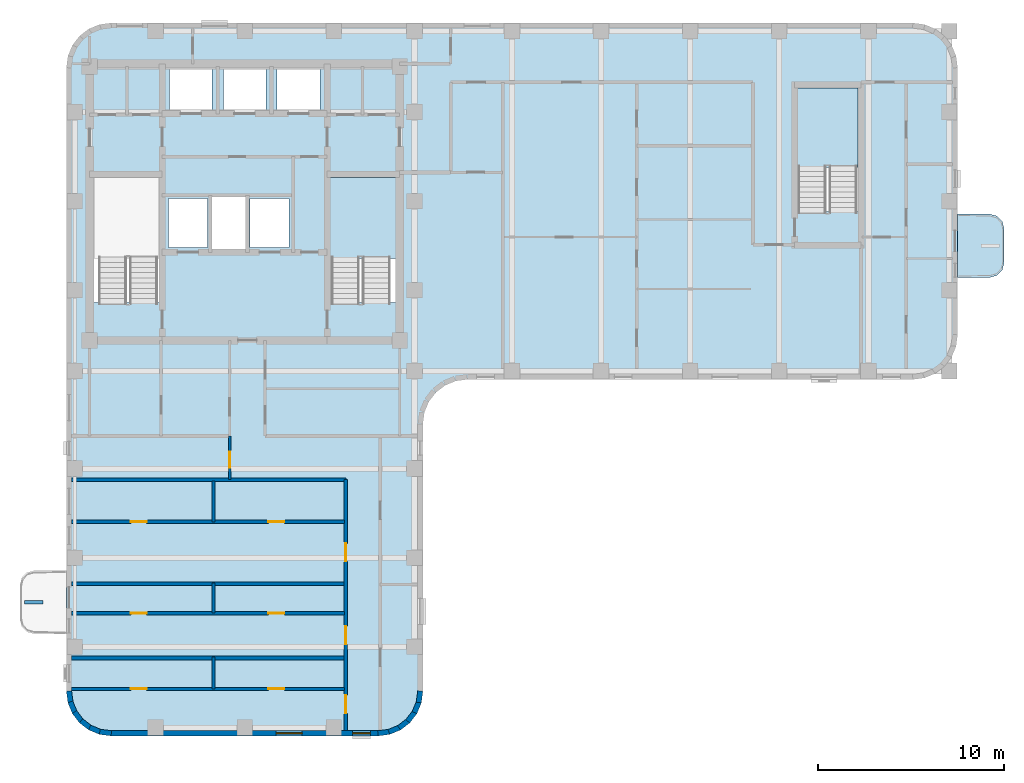
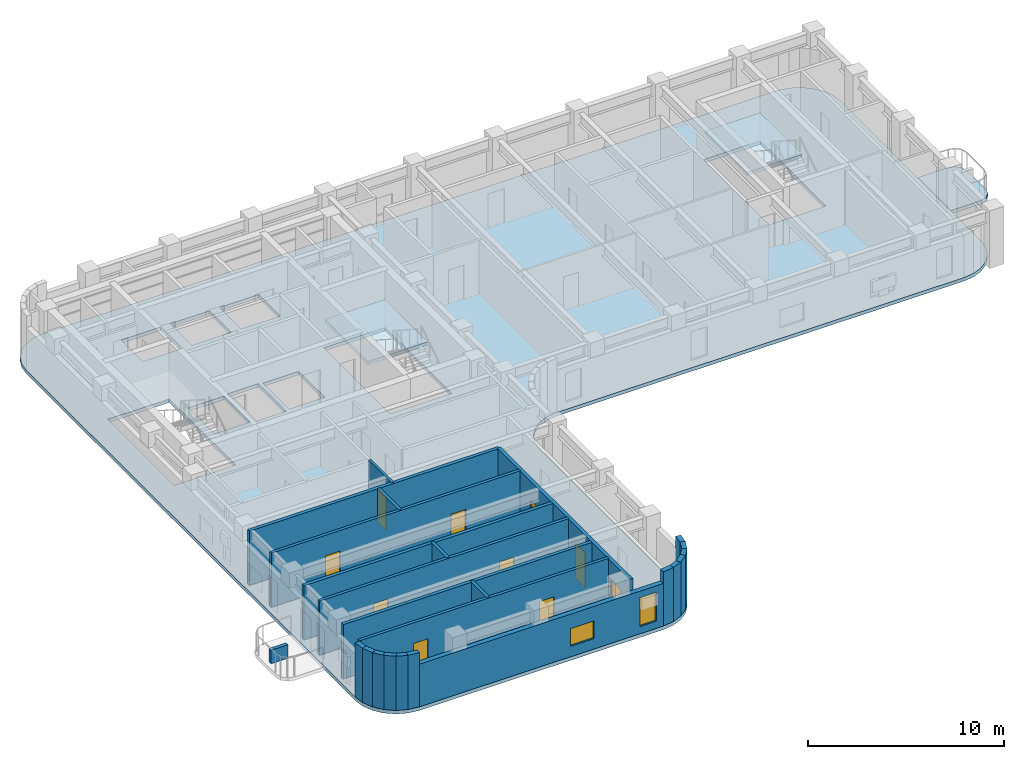
# One storey, part 2 of 10: 25 walls, 10 doors, 4 slabs, 2 windows, 12 openings, 2 elements without a shape of their own.
"""IFC4 building model written with IfcOpenShell, lengths in metres."""

from ifc_helpers import new_model, si_unit, direction, frame, frame_2d, origin, place, context, subcontext, project, spatial, polyline, rectangle, outline, extrude, material, layer, layer_set, type_object, element, fill, aggregate, save


model = new_model("IFC4")

# Units and contexts
model_context = context("Model", 3, precision=1e-05, world=origin(), true_north=direction((0.0, 1.0)))
body_context = subcontext(model_context, "Body", "Model", "MODEL_VIEW")
ifc_project = project(units=[si_unit("LENGTHUNIT", "METRE"), si_unit("AREAUNIT", "SQUARE_METRE"), si_unit("VOLUMEUNIT", "CUBIC_METRE"), si_unit("PLANEANGLEUNIT", "RADIAN"), si_unit("MASSUNIT", "GRAM", prefix="KILO")], contexts=[model_context])

# Site, building, storey
site_placement = place(None, origin())
site = spatial("IfcSite", under=ifc_project, at=site_placement, CompositionType="ELEMENT")
building_placement = place(site_placement, origin())
building = spatial("IfcBuilding", under=site, at=building_placement, Name="Orvandelia Arch Residences", CompositionType="ELEMENT")
storey_placement = place(building_placement, frame((0.0, 0.0, 229.0)))
storey = spatial("IfcBuildingStorey", under=building, at=storey_placement, Name="L60", CompositionType="ELEMENT", Elevation=229.0)

# Slab
ifc_material_1 = material(Name="Precast concrete C40/50", Category="concrete")
ifc_layer_1 = layer(ifc_material_1, 0.219970703125, Name="Precast concrete C40/50", Category="concrete")
ifc_layer_set_1 = layer_set([ifc_layer_1], Name="Precast concrete C40/50")
slab_type_1 = type_object("IfcSlabType", Name="SLB-BAL-220", PredefinedType="USERDEFINED", material=ifc_layer_set_1)
slab_1_placement = place(storey_placement, frame((0.0, 0.0, -0.219970703125)))
element("IfcSlab", 1, at=slab_1_placement, inside=storey, type_object=slab_type_1, Name="Tree Balcony Cantilever Slab BAL-L60-E1", ObjectType="BALCONY", PredefinedType="USERDEFINED", context=body_context, shape_type="SweptSolid", body=[
    extrude(outline(polyline([(52.800048828125, 37.699951171875), (52.800048828125, 34.300048828125), (54.550048828125, 34.300048828125), (54.925048828125, 34.400390625), (55.199462890625, 34.675048828125), (55.300048828125, 35.050048828125), (55.300048828125, 36.949951171875), (55.199462890625, 37.324951171875), (54.925048828125, 37.599609375), (54.550048828125, 37.699951171875), (52.800048828125, 37.699951171875)])), origin(), (0.0, 0.0, 1.0), 0.219970703125),
])

# Stair, slab
ifc_material_2 = material(Name="Concrete C40/50", Category="concrete")
stair_type = type_object("IfcStairType", Name="STAIR-RC-DOGLEG", PredefinedType="HALF_TURN_STAIR", material=ifc_material_2)
stair_1_placement = place(storey_placement, origin())
stair_1 = element("IfcStair", 2, at=stair_1_placement, inside=storey, type_object=stair_type, Name="L60 Protected Exit Stair ST-2", PredefinedType="HALF_TURN_STAIR")
ifc_layer_2 = layer(ifc_material_2, 0.219970703125, Name="Concrete C40/50", Category="concrete")
ifc_layer_set_2 = layer_set([ifc_layer_2], Name="Concrete C40/50")
slab_type_2 = type_object("IfcSlabType", Name="SLB-LANDING-220", PredefinedType="LANDING", material=ifc_layer_set_2)
slab_2_placement = place(storey_placement, frame((0.0, 0.0, 1.60009765625)))
slab_2 = element("IfcSlab", 3, at=slab_2_placement, type_object=slab_type_2, Name="ST-2 landing 1", PredefinedType="LANDING", context=body_context, shape_type="SweptSolid", body=[
    extrude(outline(polyline([(22.5400390625, 35.31005859375), (22.5400390625, 39.68994140625), (19.0, 39.68994140625), (19.0, 35.31005859375), (22.5400390625, 35.31005859375)])), origin(), (0.0, 0.0, 1.0), 0.199951171875),
])
aggregate(stair_1, [slab_2])

stair_2_placement = place(storey_placement, origin())
stair_2 = element("IfcStair", 4, at=stair_2_placement, inside=storey, type_object=stair_type, Name="L60 East Wing Exit Stair ST-3", PredefinedType="HALF_TURN_STAIR")
slab_3_placement = place(storey_placement, frame((0.0, 0.0, 1.60009765625)))
slab_3 = element("IfcSlab", 5, at=slab_3_placement, type_object=slab_type_2, Name="ST-3 landing 1", PredefinedType="LANDING", context=body_context, shape_type="SweptSolid", body=[
    extrude(outline(polyline([(47.43994140625, 40.2099609375), (47.43994140625, 44.5), (44.179931640625, 44.5), (44.179931640625, 40.2099609375), (47.43994140625, 40.2099609375)])), origin(), (0.0, 0.0, 1.0), 0.199951171875),
])
aggregate(stair_2, [slab_3])

# Slab
ifc_layer_3 = layer(ifc_material_2, 0.219970703125, Name="Concrete C40/50", Category="concrete")
ifc_layer_set_3 = layer_set([ifc_layer_3], Name="Concrete C40/50")
slab_type_3 = type_object("IfcSlabType", Name="SLB-TWR-220", PredefinedType="FLOOR", material=ifc_layer_set_3)
slab_4_placement = place(storey_placement, frame((0.0, 0.0, -0.219970703125)))
element("IfcSlab", 6, at=slab_4_placement, inside=storey, type_object=slab_type_3, Name="Structural Floor Slab L60-1", PredefinedType="FLOOR", context=body_context, shape_type="SweptSolid", body=[
    extrude(outline(polyline([(4.800048828125, 12.0), (4.8818359375, 11.37890625), (5.12158203125, 10.800048828125), (5.5029296875, 10.302978515625), (6.0, 9.92138671875), (6.578857421875, 9.681884765625), (7.199951171875, 9.60009765625), (21.60009765625, 9.60009765625), (22.22119140625, 9.681884765625), (22.800048828125, 9.92138671875), (23.297119140625, 10.302978515625), (23.678466796875, 10.800048828125), (23.918212890625, 11.37890625), (24.0, 12.0), (24.0, 26.39990234375), (24.081787109375, 27.021240234375), (24.321533203125, 27.60009765625), (24.702880859375, 28.09716796875), (25.199951171875, 28.478515625), (25.77880859375, 28.71826171875), (26.39990234375, 28.800048828125), (50.39990234375, 28.800048828125), (51.021240234375, 28.8818359375), (51.60009765625, 29.12158203125), (52.09716796875, 29.5029296875), (52.478515625, 30.0), (52.71826171875, 30.578857421875), (52.800048828125, 31.199951171875), (52.800048828125, 45.60009765625), (52.71826171875, 46.22119140625), (52.478515625, 46.800048828125), (52.09716796875, 47.297119140625), (51.60009765625, 47.678466796875), (51.021240234375, 47.918212890625), (50.39990234375, 48.0), (7.199951171875, 48.0), (6.578857421875, 47.918212890625), (6.0, 47.678466796875), (5.5029296875, 47.297119140625), (5.12158203125, 46.800048828125), (4.8818359375, 46.22119140625), (4.800048828125, 45.60009765625), (4.800048828125, 12.0)]), holes=[polyline([(6.219970703125, 32.949951171875), (9.840087890625, 32.949951171875), (9.840087890625, 39.72998046875), (6.219970703125, 39.72998046875), (6.219970703125, 32.949951171875)]), polyline([(18.9599609375, 32.949951171875), (22.580078125, 32.949951171875), (22.580078125, 39.72998046875), (18.9599609375, 39.72998046875), (18.9599609375, 32.949951171875)]), polyline([(44.139892578125, 37.85009765625), (47.47998046875, 37.85009765625), (47.47998046875, 44.5400390625), (44.139892578125, 44.5400390625), (44.139892578125, 37.85009765625)]), polyline([(12.639892578125, 35.81005859375), (14.4599609375, 35.81005859375), (14.4599609375, 38.639892578125), (12.639892578125, 38.639892578125), (12.639892578125, 35.81005859375)]), polyline([(10.300048828125, 35.89990234375), (12.39990234375, 35.89990234375), (12.39990234375, 38.550048828125), (10.300048828125, 38.550048828125), (10.300048828125, 35.89990234375)]), polyline([(14.699951171875, 35.89990234375), (16.800048828125, 35.89990234375), (16.800048828125, 38.550048828125), (14.699951171875, 38.550048828125), (14.699951171875, 35.89990234375)]), polyline([(10.35009765625, 43.300048828125), (12.64990234375, 43.300048828125), (12.64990234375, 45.5), (10.35009765625, 45.5), (10.35009765625, 43.300048828125)]), polyline([(13.25, 43.300048828125), (15.550048828125, 43.300048828125), (15.550048828125, 45.5), (13.25, 45.5), (13.25, 43.300048828125)]), polyline([(16.14990234375, 43.300048828125), (18.449951171875, 43.300048828125), (18.449951171875, 45.5), (16.14990234375, 45.5), (16.14990234375, 43.300048828125)])]), origin(), (0.0, 0.0, 1.0), 0.219970703125),
])

# Wall, openings, doors
ifc_material_3 = material(Name="Fire-Rated Corridor Partition")
ifc_layer_4 = layer(ifc_material_3, 0.199951171875, Name="Fire-Rated Corridor Partition")
ifc_layer_set_4 = layer_set([ifc_layer_4], Name="Fire-Rated Corridor Partition")
wall_type_1 = type_object("IfcWallType", Name="WL-CORR-200", PredefinedType="PARTITIONING", material=ifc_layer_set_4)
wall_1_placement = place(storey_placement, frame((19.85009765625, 9.8798828125, 0.0), z_axis=(0.0, 0.0, 1.0), x_axis=(0.0, 1.0, 0.0)))
wall_1 = element("IfcWall", 7, at=wall_1_placement, inside=storey, type_object=wall_type_1, Name="Interior Partition Wall WL-L60-WC-W", PredefinedType="PARTITIONING", context=body_context, shape_type="SweptSolid", body=[
    extrude(rectangle(XDim=13.52001953125, YDim=0.199951171875, at=frame_2d((6.760009765625, 0.0))), origin(), (0.0, 0.0, 1.0), 3.3798828125),
])
opening_1_placement = place(wall_1_placement, frame((0.93505859375, 0.0, 0.0)))
opening_1 = element("IfcOpeningElement", 8, at=opening_1_placement, cuts=wall_1, Name="Opening D1", PredefinedType="OPENING", context=body_context, shape_type="SweptSolid", body=[
    extrude(rectangle(XDim=0.97998046875, YDim=2.179931640625, at=frame_2d((0.489990234375, 1.08984375))), frame((0.0, 0.10986328125, 0.0), z_axis=(0.0, -1.0, 0.0), x_axis=(1.0, 0.0, 0.0)), (0.0, 0.0, 1.0), 0.219970703125),
])
opening_2_placement = place(wall_1_placement, frame((4.655029296875, 0.0, 0.0)))
opening_2 = element("IfcOpeningElement", 9, at=opening_2_placement, cuts=wall_1, Name="Opening D1", PredefinedType="OPENING", context=body_context, shape_type="SweptSolid", body=[
    extrude(rectangle(XDim=0.97998046875, YDim=2.179931640625, at=frame_2d((0.489990234375, 1.08984375))), frame((0.0, 0.10986328125, 0.0), z_axis=(0.0, -1.0, 0.0), x_axis=(1.0, 0.0, 0.0)), (0.0, 0.0, 1.0), 0.219970703125),
])
opening_3_placement = place(wall_1_placement, frame((9.116943359375, 0.0, 0.0)))
opening_3 = element("IfcOpeningElement", 10, at=opening_3_placement, cuts=wall_1, Name="Opening D1", PredefinedType="OPENING", context=body_context, shape_type="SweptSolid", body=[
    extrude(rectangle(XDim=0.97998046875, YDim=2.179931640625, at=frame_2d((0.489990234375, 1.08984375))), frame((0.0, 0.10986328125, 0.0), z_axis=(0.0, -1.0, 0.0), x_axis=(1.0, 0.0, 0.0)), (0.0, 0.0, 1.0), 0.219970703125),
])
ifc_material_4 = material(Name="Solid-Core Timber Acoustic Fire Door", Category="wood")
door_type_1 = type_object("IfcDoorType", Name="DR-ENT-980", OperationType="NOTDEFINED", PredefinedType="DOOR", material=ifc_material_4)
door_1_placement = place(opening_1_placement, origin())
door_1 = element("IfcDoor", 11, at=door_1_placement, inside=storey, type_object=door_type_1, Name="Unit L60-01 Entrance Door", OperationType="SINGLE_SWING_LEFT", OverallHeight=2.179931640625, OverallWidth=0.97998046875, PredefinedType="DOOR", context=body_context, shape_type="SweptSolid", body=[
    extrude(rectangle(XDim=0.97998046875, YDim=2.179931640625, at=frame_2d((0.489990234375, 1.08984375))), frame((0.0, 0.02490234375, 0.0), z_axis=(0.0, -1.0, 0.0), x_axis=(1.0, 0.0, 0.0)), (0.0, 0.0, 1.0), 0.050048828125),
])
fill(opening_1, door_1)
door_2_placement = place(opening_2_placement, origin())
door_2 = element("IfcDoor", 12, at=door_2_placement, inside=storey, type_object=door_type_1, Name="Unit L60-02 Entrance Door", OperationType="SINGLE_SWING_RIGHT", OverallHeight=2.179931640625, OverallWidth=0.97998046875, PredefinedType="DOOR", context=body_context, shape_type="SweptSolid", body=[
    extrude(rectangle(XDim=0.97998046875, YDim=2.179931640625, at=frame_2d((0.489990234375, 1.08984375))), frame((0.0, 0.02490234375, 0.0), z_axis=(0.0, -1.0, 0.0), x_axis=(1.0, 0.0, 0.0)), (0.0, 0.0, 1.0), 0.050048828125),
])
fill(opening_2, door_2)
door_3_placement = place(opening_3_placement, origin())
door_3 = element("IfcDoor", 13, at=door_3_placement, inside=storey, type_object=door_type_1, Name="Unit L60-03 Entrance Door", OperationType="SINGLE_SWING_LEFT", OverallHeight=2.179931640625, OverallWidth=0.97998046875, PredefinedType="DOOR", context=body_context, shape_type="SweptSolid", body=[
    extrude(rectangle(XDim=0.97998046875, YDim=2.179931640625, at=frame_2d((0.489990234375, 1.08984375))), frame((0.0, 0.02490234375, 0.0), z_axis=(0.0, -1.0, 0.0), x_axis=(1.0, 0.0, 0.0)), (0.0, 0.0, 1.0), 0.050048828125),
])
fill(opening_3, door_3)

# Walls
wall_2_placement = place(storey_placement, frame((5.080078125, 23.39990234375, 0.0), z_axis=(0.0, 0.0, 1.0), x_axis=(1.0, 0.0, 0.0)))
element("IfcWall", 14, at=wall_2_placement, inside=storey, type_object=wall_type_1, Name="Interior Partition Wall WL-L60-WLNK-S", PredefinedType="PARTITIONING", context=body_context, shape_type="SweptSolid", body=[
    extrude(rectangle(XDim=14.77001953125, YDim=0.199951171875, at=frame_2d((7.385009765625, 0.0))), origin(), (0.0, 0.0, 1.0), 3.3798828125),
])
ifc_layer_5 = layer(ifc_material_2, 0.199951171875, Name="Concrete C40/50", Category="concrete")
ifc_layer_set_5 = layer_set([ifc_layer_5], Name="Concrete C40/50")
wall_type_2 = type_object("IfcWallType", Name="WL-DEM-200", PredefinedType="SOLIDWALL", material=ifc_layer_set_5)
for number, where, z_axis, x_axis, name in (
    (15, (5.080078125, 13.800048828125, 0.0), (0.0, 0.0, 1.0), (1.0, 0.0, 0.0), "Interior Partition Wall WL-L60-DEM-WL-138"),
    (16, (5.080078125, 17.800048828125, 0.0), (0.0, 0.0, 1.0), (1.0, 0.0, 0.0), "Interior Partition Wall WL-L60-DEM-WL-178"),
):
    element("IfcWall", number, at=place(storey_placement, frame(where, z_axis=z_axis, x_axis=x_axis)), inside=storey, type_object=wall_type_2, Name=name, PredefinedType="SOLIDWALL", context=body_context, shape_type="SweptSolid", body=[
        extrude(rectangle(XDim=14.77001953125, YDim=0.199951171875, at=frame_2d((7.385009765625, 0.0))), origin(), (0.0, 0.0, 1.0), 3.3798828125),
    ])
ifc_layer_6 = layer(ifc_material_1, 0.280029296875, Name="Precast concrete C40/50", Category="concrete")
ifc_layer_set_6 = layer_set([ifc_layer_6], Name="Precast concrete C40/50")
wall_type_3 = type_object("IfcWallType", Name="WL-EXT-STONE-280", PredefinedType="STANDARD", material=ifc_layer_set_6)
for number, where, z_axis, x_axis, name in (
    (17, (23.861083984375, 12.018310546875, 0.0), (0.0, 0.0, 1.0), (-0.130555323746, -0.9914410257, 0.0), "Coral-Limestone Precast Facade Wall L60-029"),
    (18, (23.788818359375, 11.432373046875, 0.0), (0.0, 0.0, 1.0), (-0.382317370307, -0.924031075431, 0.0), "Coral-Limestone Precast Facade Wall L60-030"),
    (19, (23.5673828125, 10.88525390625, 0.0), (0.0, 0.0, 1.0), (-0.608693302629, -0.793405610854, 0.0), "Coral-Limestone Precast Facade Wall L60-031"),
    (20, (23.2119140625, 10.4140625, 0.0), (0.0, 0.0, 1.0), (-0.793405610854, -0.608693302629, 0.0), "Coral-Limestone Precast Facade Wall L60-032"),
    (21, (22.746337890625, 10.05078125, 0.0), (0.0, 0.0, 1.0), (-0.92389335771, -0.382650053678, 0.0), "Coral-Limestone Precast Facade Wall L60-033"),
    (22, (22.202880859375, 9.820556640625, 0.0), (0.0, 0.0, 1.0), (-0.9914410257, -0.130555323746, 0.0), "Coral-Limestone Precast Facade Wall L60-034"),
):
    element("IfcWall", number, at=place(storey_placement, frame(where, z_axis=z_axis, x_axis=x_axis)), inside=storey, type_object=wall_type_3, Name=name, PredefinedType="STANDARD", context=body_context, shape_type="SweptSolid", body=[
        extrude(rectangle(XDim=0.62646484375, YDim=0.280029296875, at=frame_2d((0.313232421875, 0.0))), origin(), (0.0, 0.0, 1.0), 3.3798828125),
    ])

# Wall, openings, windows
wall_3_placement = place(storey_placement, frame((21.60009765625, 9.739990234375, 0.0), z_axis=(0.0, 0.0, 1.0), x_axis=(-1.0, 0.0, 0.0)))
wall_3 = element("IfcWall", 23, at=wall_3_placement, inside=storey, type_object=wall_type_3, Name="Coral-Limestone Precast Facade Wall L60-035", PredefinedType="STANDARD", context=body_context, shape_type="SweptSolid", body=[
    extrude(rectangle(XDim=14.400146484375, YDim=0.280029296875, at=frame_2d((7.2001953125, 0.0))), origin(), (0.0, 0.0, 1.0), 2.659912109375),
])
opening_4_placement = place(wall_3_placement, frame((4.10009765625, 0.0, 0.64990234375)))
opening_4 = element("IfcOpeningElement", 24, at=opening_4_placement, cuts=wall_3, Name="Opening W10", PredefinedType="OPENING", context=body_context, shape_type="SweptSolid", body=[
    extrude(rectangle(XDim=1.39990234375, YDim=1.10009765625, at=frame_2d((0.699951171875, 0.550048828125))), frame((0.0, 0.14990234375, 0.0), z_axis=(0.0, -1.0, 0.0), x_axis=(1.0, 0.0, 0.0)), (0.0, 0.0, 1.0), 0.300048828125),
])
opening_5_placement = place(wall_3_placement, frame((0.429931640625, 0.0, 0.449951171875)))
opening_5 = element("IfcOpeningElement", 25, at=opening_5_placement, cuts=wall_3, Name="Opening W4", PredefinedType="OPENING", context=body_context, shape_type="SweptSolid", body=[
    extrude(rectangle(XDim=0.949951171875, YDim=1.800048828125, at=frame_2d((0.47509765625, 0.89990234375))), frame((0.0, 0.14990234375, 0.0), z_axis=(0.0, -1.0, 0.0), x_axis=(1.0, 0.0, 0.0)), (0.0, 0.0, 1.0), 0.300048828125),
])
ifc_material_5 = material(Name="Tempered Low-E Insulated Glazing", Category="glass")
window_type_1 = type_object("IfcWindowType", Name="WIN-CLR-1400x1100", PartitioningType="SINGLE_PANEL", PredefinedType="WINDOW", material=ifc_material_5)
window_1_placement = place(opening_4_placement, origin())
window_1 = element("IfcWindow", 26, at=window_1_placement, inside=storey, type_object=window_type_1, Name="Recessed Punched Window L60-014", OverallHeight=1.10009765625, OverallWidth=1.39990234375, PartitioningType="SINGLE_PANEL", PredefinedType="WINDOW", context=body_context, shape_type="SweptSolid", body=[
    extrude(rectangle(XDim=1.39990234375, YDim=1.10009765625, at=frame_2d((0.699951171875, 0.550048828125))), frame((0.0, 0.030029296875, 0.0), z_axis=(0.0, -1.0, 0.0), x_axis=(1.0, 0.0, 0.0)), (0.0, 0.0, 1.0), 0.06005859375),
])
fill(opening_4, window_1)
window_type_2 = type_object("IfcWindowType", Name="WIN-RES-0950x1800", PartitioningType="SINGLE_PANEL", PredefinedType="WINDOW", material=ifc_material_5)
window_2_placement = place(opening_5_placement, origin())
window_2 = element("IfcWindow", 27, at=window_2_placement, inside=storey, type_object=window_type_2, Name="Recessed Punched Window L60-015", OverallHeight=1.800048828125, OverallWidth=0.949951171875, PartitioningType="SINGLE_PANEL", PredefinedType="WINDOW", context=body_context, shape_type="SweptSolid", body=[
    extrude(rectangle(XDim=0.949951171875, YDim=1.800048828125, at=frame_2d((0.47509765625, 0.89990234375))), frame((0.0, 0.030029296875, 0.0), z_axis=(0.0, -1.0, 0.0), x_axis=(1.0, 0.0, 0.0)), (0.0, 0.0, 1.0), 0.06005859375),
])
fill(opening_5, window_2)

# Walls
wall_4_placement = place(storey_placement, frame((7.21826171875, 9.73876953125, 0.0), z_axis=(0.0, 0.0, 1.0), x_axis=(-0.9914410257, 0.130555323746, 0.0)))
element("IfcWall", 28, at=wall_4_placement, inside=storey, type_object=wall_type_3, Name="Coral-Limestone Precast Facade Wall L60-036", PredefinedType="STANDARD", context=body_context, shape_type="SweptSolid", body=[
    extrude(rectangle(XDim=0.62646484375, YDim=0.280029296875, at=frame_2d((0.313232421875, 0.0))), origin(), (0.0, 0.0, 1.0), 3.3798828125),
])
wall_5_placement = place(storey_placement, frame((6.63232421875, 9.81103515625, 0.0), z_axis=(0.0, 0.0, 1.0), x_axis=(-0.923836271867, 0.382787856107, 0.0)))
element("IfcWall", 29, at=wall_5_placement, inside=storey, type_object=wall_type_3, Name="Coral-Limestone Precast Facade Wall L60-037", PredefinedType="STANDARD", context=body_context, shape_type="SweptSolid", body=[
    extrude(rectangle(XDim=0.626220703125, YDim=0.280029296875, at=frame_2d((0.31298828125, 0.0))), origin(), (0.0, 0.0, 1.0), 3.3798828125),
])
for number, where, z_axis, x_axis, name in (
    (30, (6.085205078125, 10.03271484375, 0.0), (0.0, 0.0, 1.0), (-0.793405610854, 0.608693302629, 0.0), "Coral-Limestone Precast Facade Wall L60-038"),
    (31, (5.614013671875, 10.38818359375, 0.0), (0.0, 0.0, 1.0), (-0.608693302629, 0.793405610854, 0.0), "Coral-Limestone Precast Facade Wall L60-039"),
    (32, (5.250732421875, 10.853515625, 0.0), (0.0, 0.0, 1.0), (-0.382650053678, 0.92389335771, 0.0), "Coral-Limestone Precast Facade Wall L60-040"),
    (33, (5.0205078125, 11.397216796875, 0.0), (0.0, 0.0, 1.0), (-0.130555323746, 0.9914410257, 0.0), "Coral-Limestone Precast Facade Wall L60-041"),
):
    element("IfcWall", number, at=place(storey_placement, frame(where, z_axis=z_axis, x_axis=x_axis)), inside=storey, type_object=wall_type_3, Name=name, PredefinedType="STANDARD", context=body_context, shape_type="SweptSolid", body=[
        extrude(rectangle(XDim=0.62646484375, YDim=0.280029296875, at=frame_2d((0.313232421875, 0.0))), origin(), (0.0, 0.0, 1.0), 3.3798828125),
    ])

# Wall, opening, door
ifc_material_6 = material(Name="Acoustic Gypsum Stud Partition")
ifc_layer_7 = layer(ifc_material_6, 0.14990234375, Name="Acoustic Gypsum Stud Partition")
ifc_layer_set_7 = layer_set([ifc_layer_7], Name="Acoustic Gypsum Stud Partition")
wall_type_4 = type_object("IfcWallType", Name="WL-PART-150", PredefinedType="PARTITIONING", material=ifc_layer_set_7)
wall_6_placement = place(storey_placement, frame((13.60009765625, 23.39990234375, 0.0), z_axis=(0.0, 0.0, 1.0), x_axis=(0.0, 1.0, 0.0)))
wall_6 = element("IfcWall", 34, at=wall_6_placement, inside=storey, type_object=wall_type_4, Name="Interior Partition Wall WL-L60-WLNK-W", PredefinedType="PARTITIONING", context=body_context, shape_type="SweptSolid", body=[
    extrude(rectangle(XDim=2.35009765625, YDim=0.14990234375, at=frame_2d((1.175048828125, 0.0))), origin(), (0.0, 0.0, 1.0), 3.3798828125),
])
opening_6_placement = place(wall_6_placement, frame((0.64990234375, 0.0, 0.0)))
opening_6 = element("IfcOpeningElement", 35, at=opening_6_placement, cuts=wall_6, Name="Opening D4", PredefinedType="OPENING", context=body_context, shape_type="SweptSolid", body=[
    extrude(rectangle(XDim=0.860107421875, YDim=2.10009765625, at=frame_2d((0.43017578125, 1.050048828125))), frame((0.0, 0.0849609375, 0.0), z_axis=(0.0, -1.0, 0.0), x_axis=(1.0, 0.0, 0.0)), (0.0, 0.0, 1.0), 0.169921875),
])
ifc_material_7 = material(Name="Moisture-Sealed Timber Bathroom Door", Category="wood")
door_type_2 = type_object("IfcDoorType", Name="DR-WET-900", OperationType="NOTDEFINED", PredefinedType="DOOR", material=ifc_material_7)
door_4_placement = place(opening_6_placement, origin())
door_4 = element("IfcDoor", 36, at=door_4_placement, inside=storey, type_object=door_type_2, Name="DR-L60-WLNKST", OperationType="SINGLE_SWING_LEFT", OverallHeight=2.10009765625, OverallWidth=0.860107421875, PredefinedType="DOOR", context=body_context, shape_type="SweptSolid", body=[
    extrude(rectangle(XDim=0.860107421875, YDim=2.10009765625, at=frame_2d((0.43017578125, 1.050048828125))), frame((0.0, 0.02490234375, 0.0), z_axis=(0.0, -1.0, 0.0), x_axis=(1.0, 0.0, 0.0)), (0.0, 0.0, 1.0), 0.050048828125),
])
fill(opening_6, door_4)

# Wall
ifc_layer_8 = layer(ifc_material_1, 0.199951171875, Name="Precast concrete C40/50", Category="concrete")
ifc_layer_set_8 = layer_set([ifc_layer_8], Name="Precast concrete C40/50")
wall_type_5 = type_object("IfcWallType", Name="WL-PLANTER-200", PredefinedType="MOVABLE", material=ifc_layer_set_8)
wall_7_placement = place(storey_placement, frame((2.550048828125, 16.800048828125, 0.0), z_axis=(0.0, 0.0, 1.0), x_axis=(1.0, 0.0, 0.0)))
element("IfcWall", 37, at=wall_7_placement, inside=storey, type_object=wall_type_5, Name="Balcony Precast Tree Planter BAL-L60-W1", PredefinedType="MOVABLE", context=body_context, shape_type="SweptSolid", body=[
    extrude(rectangle(XDim=1.0, YDim=0.199951171875, at=frame_2d((0.5, 0.0))), origin(), (0.0, 0.0, 1.0), 0.85009765625),
])

# Wall, openings, doors
ifc_material_8 = material(Name="Moisture-Resistant Plumbing Wall")
ifc_layer_9 = layer(ifc_material_8, 0.179931640625, Name="Moisture-Resistant Plumbing Wall")
ifc_layer_set_9 = layer_set([ifc_layer_9], Name="Moisture-Resistant Plumbing Wall")
wall_type_6 = type_object("IfcWallType", Name="WL-WET-180", PredefinedType="PLUMBINGWALL", material=ifc_layer_set_9)
wall_8_placement = place(storey_placement, frame((5.080078125, 12.1298828125, 0.0), z_axis=(0.0, 0.0, 1.0), x_axis=(1.0, 0.0, 0.0)))
wall_8 = element("IfcWall", 38, at=wall_8_placement, inside=storey, type_object=wall_type_6, Name="Interior Partition Wall WL-L60-U01-HZ", PredefinedType="PLUMBINGWALL", context=body_context, shape_type="SweptSolid", body=[
    extrude(rectangle(XDim=14.7099609375, YDim=0.179931640625, at=frame_2d((7.35498046875, 0.0))), origin(), (0.0, 0.0, 1.0), 3.3798828125),
])
opening_7_placement = place(wall_8_placement, frame((3.18505859375, 0.0, 0.0)))
opening_7 = element("IfcOpeningElement", 39, at=opening_7_placement, cuts=wall_8, Name="Opening D4", PredefinedType="OPENING", context=body_context, shape_type="SweptSolid", body=[
    extrude(rectangle(XDim=0.860107421875, YDim=2.10009765625, at=frame_2d((0.43017578125, 1.050048828125))), frame((0.0, 0.10009765625, 0.0), z_axis=(0.0, -1.0, 0.0), x_axis=(1.0, 0.0, 0.0)), (0.0, 0.0, 1.0), 0.199951171875),
])
opening_8_placement = place(wall_8_placement, frame((10.60009765625, 0.0, 0.0)))
opening_8 = element("IfcOpeningElement", 40, at=opening_8_placement, cuts=wall_8, Name="Opening D4", PredefinedType="OPENING", context=body_context, shape_type="SweptSolid", body=[
    extrude(rectangle(XDim=0.860107421875, YDim=2.10009765625, at=frame_2d((0.43017578125, 1.050048828125))), frame((0.0, 0.10009765625, 0.0), z_axis=(0.0, -1.0, 0.0), x_axis=(1.0, 0.0, 0.0)), (0.0, 0.0, 1.0), 0.199951171875),
])
door_5_placement = place(opening_7_placement, origin())
door_5 = element("IfcDoor", 41, at=door_5_placement, inside=storey, type_object=door_type_2, Name="DR-L60-U01-KIT", OperationType="SINGLE_SWING_LEFT", OverallHeight=2.10009765625, OverallWidth=0.860107421875, PredefinedType="DOOR", context=body_context, shape_type="SweptSolid", body=[
    extrude(rectangle(XDim=0.860107421875, YDim=2.10009765625, at=frame_2d((0.43017578125, 1.050048828125))), frame((0.0, 0.02490234375, 0.0), z_axis=(0.0, -1.0, 0.0), x_axis=(1.0, 0.0, 0.0)), (0.0, 0.0, 1.0), 0.050048828125),
])
fill(opening_7, door_5)
door_6_placement = place(opening_8_placement, origin())
door_6 = element("IfcDoor", 42, at=door_6_placement, inside=storey, type_object=door_type_2, Name="DR-L60-U01-BTH", OperationType="SINGLE_SWING_RIGHT", OverallHeight=2.10009765625, OverallWidth=0.860107421875, PredefinedType="DOOR", context=body_context, shape_type="SweptSolid", body=[
    extrude(rectangle(XDim=0.860107421875, YDim=2.10009765625, at=frame_2d((0.43017578125, 1.050048828125))), frame((0.0, 0.02490234375, 0.0), z_axis=(0.0, -1.0, 0.0), x_axis=(1.0, 0.0, 0.0)), (0.0, 0.0, 1.0), 0.050048828125),
])
fill(opening_8, door_6)

# Wall
wall_9_placement = place(storey_placement, frame((12.719970703125, 12.1298828125, 0.0), z_axis=(0.0, 0.0, 1.0), x_axis=(0.0, 1.0, 0.0)))
element("IfcWall", 43, at=wall_9_placement, inside=storey, type_object=wall_type_6, Name="Interior Partition Wall WL-L60-U01-V1", PredefinedType="PLUMBINGWALL", context=body_context, shape_type="SweptSolid", body=[
    extrude(rectangle(XDim=1.710205078125, YDim=0.179931640625, at=frame_2d((0.85498046875, 0.0))), origin(), (0.0, 0.0, 1.0), 3.3798828125),
])

# Wall, openings, doors
wall_10_placement = place(storey_placement, frame((5.080078125, 16.2099609375, 0.0), z_axis=(0.0, 0.0, 1.0), x_axis=(1.0, 0.0, 0.0)))
wall_10 = element("IfcWall", 44, at=wall_10_placement, inside=storey, type_object=wall_type_6, Name="Interior Partition Wall WL-L60-U02-HZ", PredefinedType="PLUMBINGWALL", context=body_context, shape_type="SweptSolid", body=[
    extrude(rectangle(XDim=14.7099609375, YDim=0.179931640625, at=frame_2d((7.35498046875, 0.0))), origin(), (0.0, 0.0, 1.0), 3.3798828125),
])
opening_9_placement = place(wall_10_placement, frame((3.18505859375, 0.0, 0.0)))
opening_9 = element("IfcOpeningElement", 45, at=opening_9_placement, cuts=wall_10, Name="Opening D4", PredefinedType="OPENING", context=body_context, shape_type="SweptSolid", body=[
    extrude(rectangle(XDim=0.860107421875, YDim=2.10009765625, at=frame_2d((0.43017578125, 1.050048828125))), frame((0.0, 0.10009765625, 0.0), z_axis=(0.0, -1.0, 0.0), x_axis=(1.0, 0.0, 0.0)), (0.0, 0.0, 1.0), 0.199951171875),
])
opening_10_placement = place(wall_10_placement, frame((10.60009765625, 0.0, 0.0)))
opening_10 = element("IfcOpeningElement", 46, at=opening_10_placement, cuts=wall_10, Name="Opening D4", PredefinedType="OPENING", context=body_context, shape_type="SweptSolid", body=[
    extrude(rectangle(XDim=0.860107421875, YDim=2.10009765625, at=frame_2d((0.43017578125, 1.050048828125))), frame((0.0, 0.10009765625, 0.0), z_axis=(0.0, -1.0, 0.0), x_axis=(1.0, 0.0, 0.0)), (0.0, 0.0, 1.0), 0.199951171875),
])
door_7_placement = place(opening_9_placement, origin())
door_7 = element("IfcDoor", 47, at=door_7_placement, inside=storey, type_object=door_type_2, Name="DR-L60-U02-KIT", OperationType="SINGLE_SWING_RIGHT", OverallHeight=2.10009765625, OverallWidth=0.860107421875, PredefinedType="DOOR", context=body_context, shape_type="SweptSolid", body=[
    extrude(rectangle(XDim=0.860107421875, YDim=2.10009765625, at=frame_2d((0.43017578125, 1.050048828125))), frame((0.0, 0.02490234375, 0.0), z_axis=(0.0, -1.0, 0.0), x_axis=(1.0, 0.0, 0.0)), (0.0, 0.0, 1.0), 0.050048828125),
])
fill(opening_9, door_7)
door_8_placement = place(opening_10_placement, origin())
door_8 = element("IfcDoor", 48, at=door_8_placement, inside=storey, type_object=door_type_2, Name="DR-L60-U02-BTH", OperationType="SINGLE_SWING_LEFT", OverallHeight=2.10009765625, OverallWidth=0.860107421875, PredefinedType="DOOR", context=body_context, shape_type="SweptSolid", body=[
    extrude(rectangle(XDim=0.860107421875, YDim=2.10009765625, at=frame_2d((0.43017578125, 1.050048828125))), frame((0.0, 0.02490234375, 0.0), z_axis=(0.0, -1.0, 0.0), x_axis=(1.0, 0.0, 0.0)), (0.0, 0.0, 1.0), 0.050048828125),
])
fill(opening_10, door_8)

# Wall
wall_11_placement = place(storey_placement, frame((12.719970703125, 16.2099609375, 0.0), z_axis=(0.0, 0.0, 1.0), x_axis=(0.0, 1.0, 0.0)))
element("IfcWall", 49, at=wall_11_placement, inside=storey, type_object=wall_type_6, Name="Interior Partition Wall WL-L60-U02-V1", PredefinedType="PLUMBINGWALL", context=body_context, shape_type="SweptSolid", body=[
    extrude(rectangle(XDim=1.630126953125, YDim=0.179931640625, at=frame_2d((0.81494140625, 0.0))), origin(), (0.0, 0.0, 1.0), 3.3798828125),
])

# Wall, openings, doors
wall_12_placement = place(storey_placement, frame((5.080078125, 21.134033203125, 0.0), z_axis=(0.0, 0.0, 1.0), x_axis=(1.0, 0.0, 0.0)))
wall_12 = element("IfcWall", 50, at=wall_12_placement, inside=storey, type_object=wall_type_6, Name="Interior Partition Wall WL-L60-U03-HZ", PredefinedType="PLUMBINGWALL", context=body_context, shape_type="SweptSolid", body=[
    extrude(rectangle(XDim=14.7099609375, YDim=0.179931640625, at=frame_2d((7.35498046875, 0.0))), origin(), (0.0, 0.0, 1.0), 3.3798828125),
])
opening_11_placement = place(wall_12_placement, frame((3.18505859375, 0.0, 0.0)))
opening_11 = element("IfcOpeningElement", 51, at=opening_11_placement, cuts=wall_12, Name="Opening D4", PredefinedType="OPENING", context=body_context, shape_type="SweptSolid", body=[
    extrude(rectangle(XDim=0.860107421875, YDim=2.10009765625, at=frame_2d((0.43017578125, 1.050048828125))), frame((0.0, 0.10009765625, 0.0), z_axis=(0.0, -1.0, 0.0), x_axis=(1.0, 0.0, 0.0)), (0.0, 0.0, 1.0), 0.199951171875),
])
opening_12_placement = place(wall_12_placement, frame((10.60009765625, 0.0, 0.0)))
opening_12 = element("IfcOpeningElement", 52, at=opening_12_placement, cuts=wall_12, Name="Opening D4", PredefinedType="OPENING", context=body_context, shape_type="SweptSolid", body=[
    extrude(rectangle(XDim=0.860107421875, YDim=2.10009765625, at=frame_2d((0.43017578125, 1.050048828125))), frame((0.0, 0.10009765625, 0.0), z_axis=(0.0, -1.0, 0.0), x_axis=(1.0, 0.0, 0.0)), (0.0, 0.0, 1.0), 0.199951171875),
])
door_9_placement = place(opening_11_placement, origin())
door_9 = element("IfcDoor", 53, at=door_9_placement, inside=storey, type_object=door_type_2, Name="DR-L60-U03-KIT", OperationType="SINGLE_SWING_LEFT", OverallHeight=2.10009765625, OverallWidth=0.860107421875, PredefinedType="DOOR", context=body_context, shape_type="SweptSolid", body=[
    extrude(rectangle(XDim=0.860107421875, YDim=2.10009765625, at=frame_2d((0.43017578125, 1.050048828125))), frame((0.0, 0.02490234375, 0.0), z_axis=(0.0, -1.0, 0.0), x_axis=(1.0, 0.0, 0.0)), (0.0, 0.0, 1.0), 0.050048828125),
])
fill(opening_11, door_9)
door_10_placement = place(opening_12_placement, origin())
door_10 = element("IfcDoor", 54, at=door_10_placement, inside=storey, type_object=door_type_2, Name="DR-L60-U03-BTH", OperationType="SINGLE_SWING_RIGHT", OverallHeight=2.10009765625, OverallWidth=0.860107421875, PredefinedType="DOOR", context=body_context, shape_type="SweptSolid", body=[
    extrude(rectangle(XDim=0.860107421875, YDim=2.10009765625, at=frame_2d((0.43017578125, 1.050048828125))), frame((0.0, 0.02490234375, 0.0), z_axis=(0.0, -1.0, 0.0), x_axis=(1.0, 0.0, 0.0)), (0.0, 0.0, 1.0), 0.050048828125),
])
fill(opening_12, door_10)

# Wall
wall_13_placement = place(storey_placement, frame((12.719970703125, 21.134033203125, 0.0), z_axis=(0.0, 0.0, 1.0), x_axis=(0.0, 1.0, 0.0)))
element("IfcWall", 55, at=wall_13_placement, inside=storey, type_object=wall_type_6, Name="Interior Partition Wall WL-L60-U03-V1", PredefinedType="PLUMBINGWALL", context=body_context, shape_type="SweptSolid", body=[
    extrude(rectangle(XDim=2.2060546875, YDim=0.179931640625, at=frame_2d((1.10302734375, 0.0))), origin(), (0.0, 0.0, 1.0), 3.3798828125),
])

save(model, "model.ifc")
